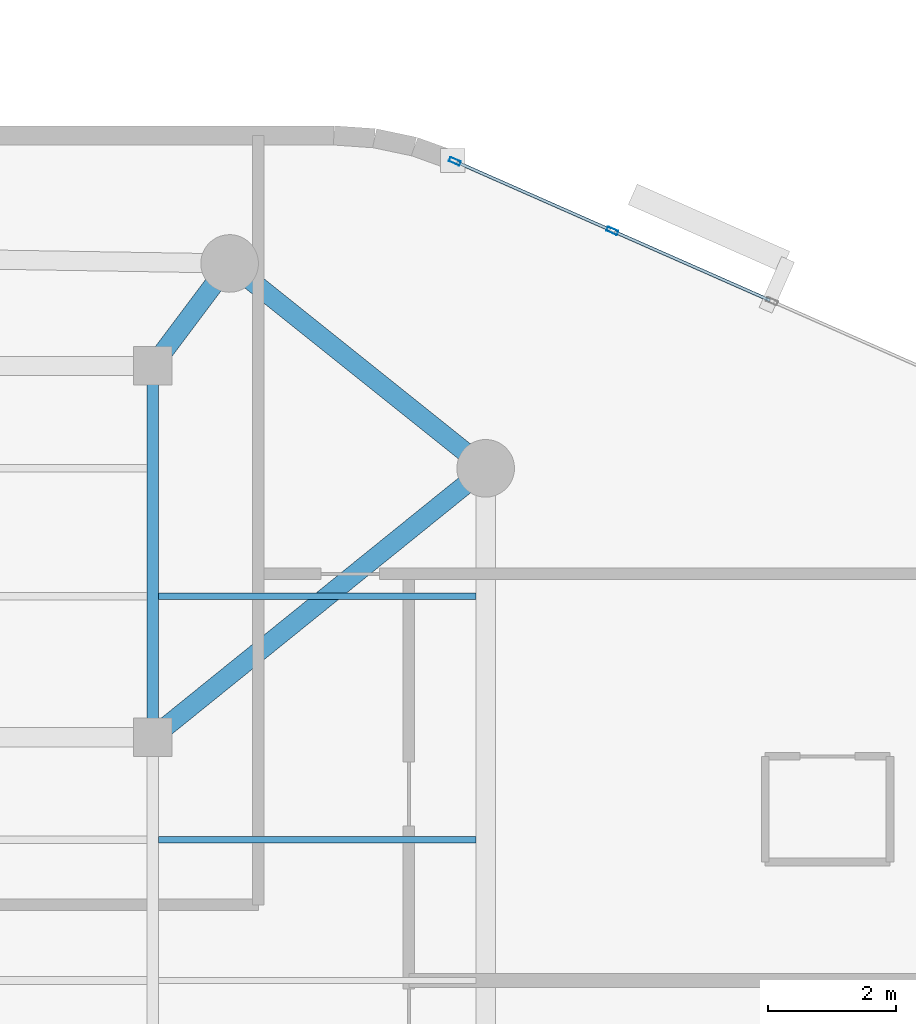
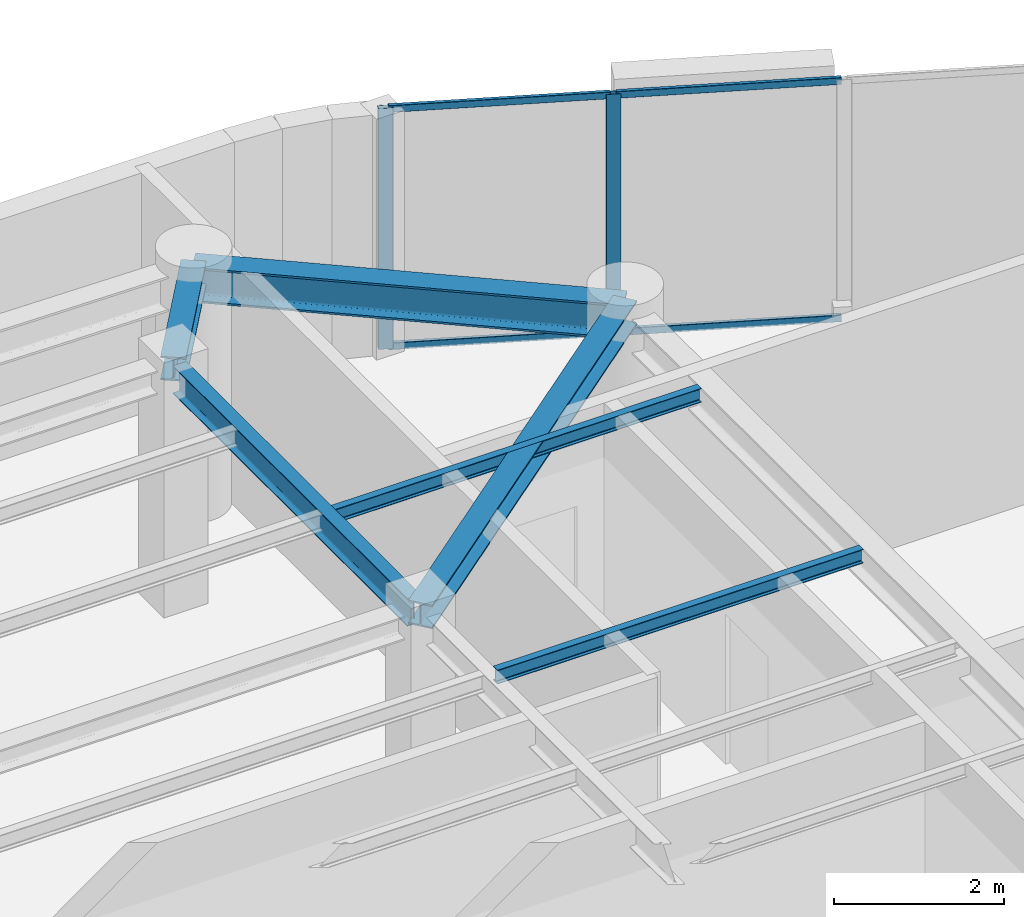
# One storey, part 6 of 13: 6 beams, 6 members, 1 element without a shape of its own.
"""IFC4 building model written with IfcOpenShell, lengths in metres."""

from ifc_helpers import new_model, si_unit, direction, frame, origin, origin_2d, place, context, subcontext, project, spatial, hollow_rectangle, i_section, extrude, material, layer, layer_set, material_profile, profile_set, type_object, element, aggregate, save


model = new_model("IFC4")

# Units and contexts
model_context = context("Model", 3, precision=1e-05, world=origin(), true_north=direction((0.0, 1.0)))
body_context = subcontext(model_context, "Body", "Model", "MODEL_VIEW")
ifc_project = project(units=[si_unit("LENGTHUNIT", "METRE"), si_unit("AREAUNIT", "SQUARE_METRE"), si_unit("VOLUMEUNIT", "CUBIC_METRE"), si_unit("PLANEANGLEUNIT", "RADIAN"), si_unit("MASSUNIT", "GRAM", prefix="KILO")], contexts=[model_context])

# Site, building, storey
site_placement = place(None, origin())
site = spatial("IfcSite", under=ifc_project, at=site_placement, CompositionType="ELEMENT")
building_placement = place(site_placement, origin())
building = spatial("IfcBuilding", under=site, at=building_placement, Name="An Khanh Terracotta Commons", CompositionType="ELEMENT")
storey_placement = place(building_placement, frame((0.0, 0.0, 288.0)))
storey = spatial("IfcBuildingStorey", under=building, at=storey_placement, Name="L75", CompositionType="ELEMENT", Elevation=288.0)

# Beams
ifc_material_1 = material(Name="Steel S355J2", Category="steel")
ifc_material_profile_1 = material_profile(ifc_material_1, i_section(OverallWidth=0.300048828125, OverallDepth=0.340087890625, WebThickness=0.011962890625, FlangeThickness=0.021484375, FilletRadius=0.027099609375, at=origin_2d()), Name="HEB340")
ifc_profile_set_1 = profile_set([ifc_material_profile_1], Name="Steel S355J2")
beam_type_1 = type_object("IfcBeamType", Name="BM-HEB340", PredefinedType="BEAM", material=ifc_profile_set_1)
beam_1_placement = place(storey_placement, frame((63.39990234375, 32.0, 3.280029296875), z_axis=(-0.777941866883, -0.628336256913, 0.0), x_axis=(0.628336256913, -0.777941866883, 0.0)))
element("IfcBeam", 1, at=beam_1_placement, inside=storey, type_object=beam_type_1, Name="L75 Mega-Column Tie Girder 4", PredefinedType="BEAM", context=body_context, shape_type="SweptSolid", body=[
    extrude(i_section(OverallWidth=0.300048828125, OverallDepth=0.340087890625, WebThickness=0.011962890625, FlangeThickness=0.021484375, FilletRadius=0.027099609375, at=origin_2d()), origin(), (0.0, 0.0, 1.0), 6.684326171875),
])
beam_2_placement = place(storey_placement, frame((59.39990234375, 35.199951171875, 3.280029296875), z_axis=(-0.600019532502, -0.799985350251, 0.0), x_axis=(0.799985350251, -0.600019532502, 0.0)))
element("IfcBeam", 2, at=beam_2_placement, inside=storey, type_object=beam_type_1, Name="L75 Mega-Column Tie Girder 5", PredefinedType="BEAM", context=body_context, shape_type="SweptSolid", body=[
    extrude(i_section(OverallWidth=0.300048828125, OverallDepth=0.340087890625, WebThickness=0.011962890625, FlangeThickness=0.021484375, FilletRadius=0.027099609375, at=origin_2d()), origin(), (0.0, 0.0, 1.0), 1.999755859375),
])
ifc_material_profile_2 = material_profile(ifc_material_1, i_section(OverallWidth=0.300048828125, OverallDepth=0.5, WebThickness=0.014404296875, FlangeThickness=0.028076171875, FilletRadius=0.027099609375, at=origin_2d()), Name="HEB500")
ifc_profile_set_2 = profile_set([ifc_material_profile_2], Name="Steel S355J2")
beam_type_2 = type_object("IfcBeamType", Name="BM-HEB500", PredefinedType="BEAM", material=ifc_profile_set_2)
beam_3_placement = place(storey_placement, frame((63.39990234375, 32.0, 3.199951171875), z_axis=(-0.780873459249, 0.624689235253, 0.0), x_axis=(-0.624689235253, -0.780873459249, 0.0)))
element("IfcBeam", 3, at=beam_3_placement, inside=storey, type_object=beam_type_2, Name="L75 Perimeter Ring Spandrel 4", PredefinedType="BEAM", context=body_context, shape_type="SweptSolid", body=[
    extrude(i_section(OverallWidth=0.300048828125, OverallDepth=0.5, WebThickness=0.014404296875, FlangeThickness=0.028076171875, FilletRadius=0.027099609375, at=origin_2d()), origin(), (0.0, 0.0, 1.0), 5.12255859375),
])
ifc_material_profile_3 = material_profile(ifc_material_1, i_section(OverallWidth=0.10009765625, OverallDepth=0.199951171875, WebThickness=0.005615234375, FlangeThickness=0.008544921875, FilletRadius=0.011962890625, at=origin_2d()), Name="IPE200")
ifc_profile_set_3 = profile_set([ifc_material_profile_3], Name="Steel S355J2")
beam_type_3 = type_object("IfcBeamType", Name="BM-IPE200", PredefinedType="JOIST", material=ifc_profile_set_3)
for number, where, z_axis, x_axis, name in (
    (4, (58.2900390625, 26.199951171875, 3.35009765625), (1.0, 0.0, 0.0), (0.0, 1.0, 0.0), "L75 Riverfront Composite Joist 5"),
    (5, (58.2900390625, 30.0, 3.35009765625), (1.0, 0.0, 0.0), (0.0, 1.0, 0.0), "L75 Riverfront Composite Joist 6"),
):
    element("IfcBeam", number, at=place(storey_placement, frame(where, z_axis=z_axis, x_axis=x_axis)), inside=storey, type_object=beam_type_3, Name=name, PredefinedType="JOIST", context=body_context, shape_type="SweptSolid", body=[
        extrude(i_section(OverallWidth=0.10009765625, OverallDepth=0.199951171875, WebThickness=0.005615234375, FlangeThickness=0.008544921875, FilletRadius=0.011962890625, at=origin_2d()), origin(), (0.0, 0.0, 1.0), 4.9599609375),
    ])
ifc_material_profile_4 = material_profile(ifc_material_1, i_section(OverallWidth=0.179931640625, OverallDepth=0.39990234375, WebThickness=0.008544921875, FlangeThickness=0.013427734375, FilletRadius=0.02099609375, at=origin_2d()), Name="IPE400")
ifc_profile_set_4 = profile_set([ifc_material_profile_4], Name="Steel S355J2")
beam_type_4 = type_object("IfcBeamType", Name="BM-IPE400", PredefinedType="JOIST", material=ifc_profile_set_4)
beam_4_placement = place(storey_placement, frame((58.199951171875, 27.949951171875, 3.25), z_axis=(0.0, 1.0, 0.0), x_axis=(-1.0, 0.0, 0.0)))
element("IfcBeam", 6, at=beam_4_placement, inside=storey, type_object=beam_type_4, Name="L75 East Spine Girder 3", PredefinedType="JOIST", context=body_context, shape_type="SweptSolid", body=[
    extrude(i_section(OverallWidth=0.179931640625, OverallDepth=0.39990234375, WebThickness=0.008544921875, FlangeThickness=0.013427734375, FilletRadius=0.02099609375, at=origin_2d()), origin(), (0.0, 0.0, 1.0), 5.5),
])

# Curtain wall, members
ifc_material_2 = material(Name="Anodised Aluminium 6063-T6", Category="aluminium")
ifc_layer = layer(ifc_material_2, 0.2099609375, Name="Anodised Aluminium 6063-T6")
ifc_layer_set = layer_set([ifc_layer], Name="Anodised Aluminium 6063-T6")
curtain_wall_type = type_object("IfcCurtainWallType", Name="CW-SYS-03", PredefinedType="USERDEFINED", material=ifc_layer_set)
curtain_wall_placement = place(storey_placement, origin())
curtain_wall = element("IfcCurtainWall", 7, at=curtain_wall_placement, inside=storey, type_object=curtain_wall_type, Name="L75 CW-03 Unitised Curtain Wall CW-L75-16", ObjectType="UNITISED CURTAIN WALL", PredefinedType="USERDEFINED")
ifc_material_profile_5 = material_profile(ifc_material_2, hollow_rectangle(XDim=0.070068359375, YDim=0.179931640625, WallThickness=0.00390625, InnerFilletRadius=0.00390625, OuterFilletRadius=0.008056640625, at=origin_2d()), Name="RHS180x70x4")
ifc_profile_set_5 = profile_set([ifc_material_profile_5], Name="Anodised Aluminium 6063-T6")
member_type_1 = type_object("IfcMemberType", Name="CWM-RHS180x70x4", PredefinedType="MULLION", material=ifc_profile_set_5)
member_1_placement = place(storey_placement, frame((65.37939453125, 35.709228515625, 0.0), z_axis=(0.0, 0.0, 1.0), x_axis=(-0.403676354285, -0.914901853201, 0.0)))
member_1 = element("IfcMember", 8, at=member_1_placement, type_object=member_type_1, Name="CW-03 mullion 4", PredefinedType="MULLION", context=body_context, shape_type="SweptSolid", body=[
    extrude(hollow_rectangle(XDim=0.070068359375, YDim=0.179931640625, WallThickness=0.00390625, InnerFilletRadius=0.00390625, OuterFilletRadius=0.008056640625, at=origin_2d()), origin(), (0.0, 0.0, 1.0), 3.449951171875),
])
member_2_placement = place(storey_placement, frame((62.9189453125, 36.794921875, 0.0), z_axis=(0.0, 0.0, 1.0), x_axis=(-0.403676354285, -0.914901853201, 0.0)))
member_2 = element("IfcMember", 9, at=member_2_placement, type_object=member_type_1, Name="CW-03 mullion 5", PredefinedType="MULLION", context=body_context, shape_type="SweptSolid", body=[
    extrude(hollow_rectangle(XDim=0.070068359375, YDim=0.179931640625, WallThickness=0.00390625, InnerFilletRadius=0.00390625, OuterFilletRadius=0.008056640625, at=origin_2d()), origin(), (0.0, 0.0, 1.0), 3.449951171875),
])
ifc_material_profile_6 = material_profile(ifc_material_2, hollow_rectangle(XDim=0.050048828125, YDim=0.10009765625, WallThickness=0.003173828125, InnerFilletRadius=0.003173828125, OuterFilletRadius=0.00634765625, at=origin_2d()), Name="RHS100x50x3.2")
ifc_profile_set_6 = profile_set([ifc_material_profile_6], Name="Anodised Aluminium 6063-T6")
member_type_2 = type_object("IfcMemberType", Name="CWT-RHS100x50x3.2", PredefinedType="USERDEFINED", material=ifc_profile_set_6)
member_3_placement = place(storey_placement, frame((67.840087890625, 34.62353515625, 0.02490234375), z_axis=(-0.914896820753, 0.403687759755, 0.0), x_axis=(-0.403687759755, -0.914896820753, 0.0)))
member_3 = element("IfcMember", 10, at=member_3_placement, type_object=member_type_2, Name="CW-03 transom 3.1", ObjectType="TRANSOM", PredefinedType="USERDEFINED", context=body_context, shape_type="SweptSolid", body=[
    extrude(hollow_rectangle(XDim=0.050048828125, YDim=0.10009765625, WallThickness=0.003173828125, InnerFilletRadius=0.003173828125, OuterFilletRadius=0.00634765625, at=origin_2d()), origin(), (0.0, 0.0, 1.0), 2.654296875),
])
member_4_placement = place(storey_placement, frame((67.840087890625, 34.62353515625, 3.425048828125), z_axis=(-0.914896820753, 0.403687759755, 0.0), x_axis=(-0.403687759755, -0.914896820753, 0.0)))
member_4 = element("IfcMember", 11, at=member_4_placement, type_object=member_type_2, Name="CW-03 transom 3.2", ObjectType="TRANSOM", PredefinedType="USERDEFINED", context=body_context, shape_type="SweptSolid", body=[
    extrude(hollow_rectangle(XDim=0.050048828125, YDim=0.10009765625, WallThickness=0.003173828125, InnerFilletRadius=0.003173828125, OuterFilletRadius=0.00634765625, at=origin_2d()), origin(), (0.0, 0.0, 1.0), 2.654296875),
])
member_5_placement = place(storey_placement, frame((65.347412109375, 35.723388671875, 0.02490234375), z_axis=(-0.914903627858, 0.403672332137, 0.0), x_axis=(-0.403672332137, -0.914903627858, 0.0)))
member_5 = element("IfcMember", 12, at=member_5_placement, type_object=member_type_2, Name="CW-03 transom 4.1", ObjectType="TRANSOM", PredefinedType="USERDEFINED", context=body_context, shape_type="SweptSolid", body=[
    extrude(hollow_rectangle(XDim=0.050048828125, YDim=0.10009765625, WallThickness=0.003173828125, InnerFilletRadius=0.003173828125, OuterFilletRadius=0.00634765625, at=origin_2d()), origin(), (0.0, 0.0, 1.0), 2.619384765625),
])
member_6_placement = place(storey_placement, frame((65.347412109375, 35.723388671875, 3.425048828125), z_axis=(-0.914903627858, 0.403672332137, 0.0), x_axis=(-0.403672332137, -0.914903627858, 0.0)))
member_6 = element("IfcMember", 13, at=member_6_placement, type_object=member_type_2, Name="CW-03 transom 4.2", ObjectType="TRANSOM", PredefinedType="USERDEFINED", context=body_context, shape_type="SweptSolid", body=[
    extrude(hollow_rectangle(XDim=0.050048828125, YDim=0.10009765625, WallThickness=0.003173828125, InnerFilletRadius=0.003173828125, OuterFilletRadius=0.00634765625, at=origin_2d()), origin(), (0.0, 0.0, 1.0), 2.619384765625),
])
aggregate(curtain_wall, [member_1, member_2, member_3, member_4, member_5, member_6])

save(model, "model.ifc")
